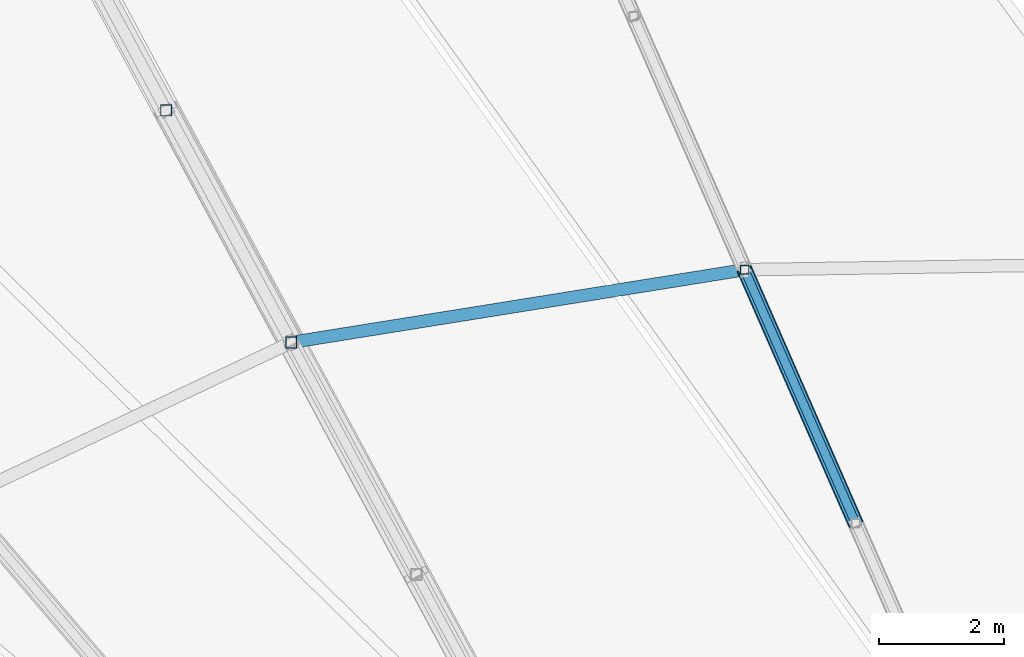
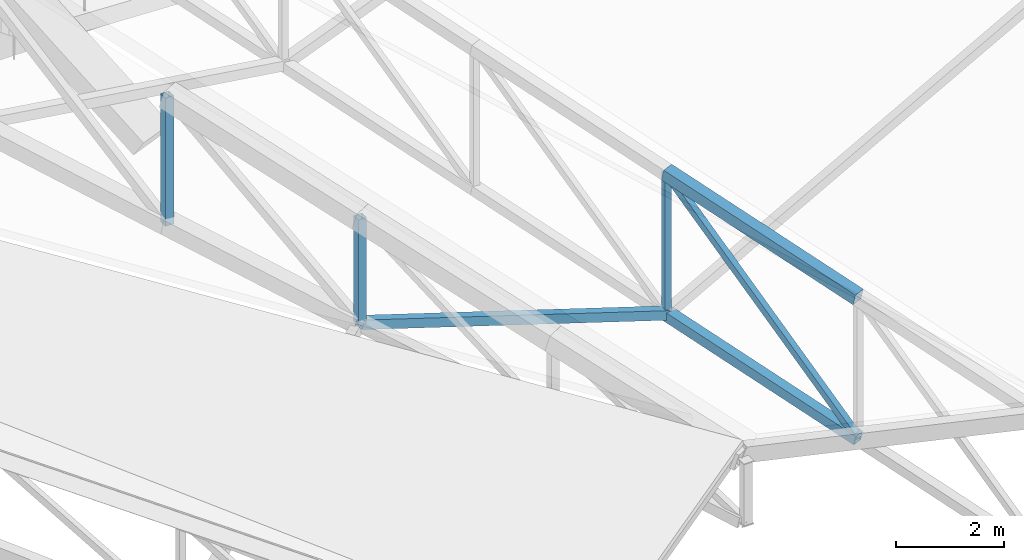
# One storey, part 145 of 344: 7 members.
"""IFC4 building model written with IfcOpenShell, lengths in metres."""

from ifc_helpers import new_model, si_unit, direction, frame, origin, origin_2d, place, context, subcontext, project, spatial, hollow_rectangle, extrude, material, material_profile, profile_set, type_object, element, save


model = new_model("IFC4")

# Units and contexts
model_context = context("Model", 3, precision=1e-05, world=origin(), true_north=direction((0.0, 1.0)))
body_context = subcontext(model_context, "Body", "Model", "MODEL_VIEW")
ifc_project = project(units=[si_unit("LENGTHUNIT", "METRE"), si_unit("AREAUNIT", "SQUARE_METRE"), si_unit("VOLUMEUNIT", "CUBIC_METRE"), si_unit("PLANEANGLEUNIT", "RADIAN"), si_unit("MASSUNIT", "GRAM", prefix="KILO")], contexts=[model_context])

# Site, building, storey
site_placement = place(None, origin())
site = spatial("IfcSite", under=ifc_project, at=site_placement, CompositionType="ELEMENT")
building_placement = place(site_placement, origin())
building = spatial("IfcBuilding", under=site, at=building_placement, Name="Meseta Stadium", CompositionType="ELEMENT")
storey_placement = place(building_placement, frame((0.0, 0.0, 24.0)))
storey = spatial("IfcBuildingStorey", under=building, at=storey_placement, Name="L04", CompositionType="ELEMENT", Elevation=24.0)

# Members
ifc_material_1 = material(Name="Steel S355", Category="steel")
ifc_material_profile_1 = material_profile(ifc_material_1, hollow_rectangle(XDim=0.139892578125, YDim=0.139892578125, WallThickness=0.0048828125, at=origin_2d()), Name="SHS 140x140x5")
ifc_profile_set_1 = profile_set([ifc_material_profile_1], Name="Steel S355")
member_type_1 = type_object("IfcMemberType", Name="SHS 140x140x5 diagonal", PredefinedType="BRACE", material=ifc_profile_set_1)
member_1_placement = place(storey_placement, frame((-25.65478515625, 69.6328125, -0.656494140625), z_axis=(-0.290962382182, 0.66466819208, 0.688154842017), x_axis=(-0.916071251187, -0.401015539287, 0.0)))
element("IfcMember", 1, at=member_1_placement, inside=storey, type_object=member_type_1, Name="ROOF TRUSS RT-21 diagonal", PredefinedType="BRACE", context=body_context, shape_type="SweptSolid", body=[
    extrude(hollow_rectangle(XDim=0.139892578125, YDim=0.139892578125, WallThickness=0.0048828125, at=origin_2d()), origin(), (0.0, 0.0, 1.0), 6.101806640625),
])
ifc_material_2 = material(Name="Steel S355", Category="steel")
ifc_material_profile_2 = material_profile(ifc_material_2, hollow_rectangle(XDim=0.139892578125, YDim=0.139892578125, WallThickness=0.0048828125, at=origin_2d()), Name="SHS 140x140x5")
ifc_profile_set_2 = profile_set([ifc_material_profile_2], Name="Steel S355")
member_type_2 = type_object("IfcMemberType", Name="SHS 140x140x5 post", PredefinedType="POST", material=ifc_profile_set_2)
member_2_placement = place(storey_placement, frame((-27.43017578125, 73.6884765625, 0.342529296875), z_axis=(0.0, 0.0, 1.0), x_axis=(1.0, 0.0, 0.0)))
element("IfcMember", 2, at=member_2_placement, inside=storey, type_object=member_type_2, Name="ROOF TRUSS RT-21 post", PredefinedType="POST", context=body_context, shape_type="SweptSolid", body=[
    extrude(hollow_rectangle(XDim=0.139892578125, YDim=0.139892578125, WallThickness=0.0048828125, at=origin_2d()), origin(), (0.0, 0.0, 1.0), 3.199951171875),
])
ifc_material_3 = material(Name="Steel S355", Category="steel")
ifc_material_profile_3 = material_profile(ifc_material_3, hollow_rectangle(XDim=0.179931640625, YDim=0.179931640625, WallThickness=0.00634765625, at=origin_2d()), Name="SHS 180x180x6.3")
ifc_profile_set_3 = profile_set([ifc_material_profile_3], Name="Steel S355")
member_type_3 = type_object("IfcMemberType", Name="SHS 180x180x6.3 post", PredefinedType="POST", material=ifc_profile_set_3)
member_3_placement = place(storey_placement, frame((-34.68212890625, 72.526123046875, 3.37158203125), z_axis=(0.0, 0.0, 1.0), x_axis=(1.0, 0.0, 0.0)))
element("IfcMember", 3, at=member_3_placement, inside=storey, type_object=member_type_3, Name="ROOF TRUSS RT-22 post", PredefinedType="POST", context=body_context, shape_type="SweptSolid", body=[
    extrude(hollow_rectangle(XDim=0.179931640625, YDim=0.179931640625, WallThickness=0.00634765625, at=origin_2d()), origin(), (0.0, 0.0, 1.0), 2.40576171875),
])
member_4_placement = place(storey_placement, frame((-36.682373046875, 76.239013671875, 4.085205078125), z_axis=(0.0, 0.0, 1.0), x_axis=(1.0, 0.0, 0.0)))
element("IfcMember", 4, at=member_4_placement, inside=storey, type_object=member_type_3, Name="ROOF TRUSS RT-22 post", PredefinedType="POST", context=body_context, shape_type="SweptSolid", body=[
    extrude(hollow_rectangle(XDim=0.179931640625, YDim=0.179931640625, WallThickness=0.00634765625, at=origin_2d()), origin(), (0.0, 0.0, 1.0), 2.90869140625),
])
ifc_material_4 = material(Name="Steel S355", Category="steel")
ifc_material_profile_4 = material_profile(ifc_material_4, hollow_rectangle(XDim=0.199951171875, YDim=0.199951171875, WallThickness=0.008056640625, at=origin_2d()), Name="SHS 200x200x8")
ifc_profile_set_4 = profile_set([ifc_material_profile_4], Name="Steel S355")
member_type_4 = type_object("IfcMemberType", Name="SHS 200x200x8 strut", PredefinedType="STRUT", material=ifc_profile_set_4)
member_5_placement = place(storey_placement, frame((-27.43017578125, 73.6884765625, 0.342529296875), z_axis=(-0.912812631175, -0.14630692624, 0.381270748552), x_axis=(0.158261455193, -0.987397241135, 0.0)))
element("IfcMember", 5, at=member_5_placement, inside=storey, type_object=member_type_4, Name="ROOF TRUSS STRUT RT-21/22", PredefinedType="STRUT", context=body_context, shape_type="SweptSolid", body=[
    extrude(hollow_rectangle(XDim=0.199951171875, YDim=0.199951171875, WallThickness=0.008056640625, at=origin_2d()), origin(), (0.0, 0.0, 1.0), 7.944580078125),
])
ifc_material_5 = material(Name="Steel S355", Category="steel")
ifc_material_profile_5 = material_profile(ifc_material_5, hollow_rectangle(XDim=0.219970703125, YDim=0.219970703125, WallThickness=0.008056640625, at=origin_2d()), Name="SHS 220x220x8")
ifc_profile_set_5 = profile_set([ifc_material_profile_5], Name="Steel S355")
member_type_5 = type_object("IfcMemberType", Name="SHS 220x220x8 bottom chord", PredefinedType="CHORD", material=ifc_profile_set_5)
member_6_placement = place(storey_placement, frame((-25.65478515625, 69.6328125, -0.656494140625), z_axis=(-0.391179811732, 0.89360272724, 0.220119333004), x_axis=(-0.916071251187, -0.401015539287, 0.0)))
element("IfcMember", 6, at=member_6_placement, inside=storey, type_object=member_type_5, Name="ROOF TRUSS RT-21 bottom chord", PredefinedType="CHORD", context=body_context, shape_type="SweptSolid", body=[
    extrude(hollow_rectangle(XDim=0.219970703125, YDim=0.219970703125, WallThickness=0.008056640625, at=origin_2d()), origin(), (0.0, 0.0, 1.0), 4.53857421875),
])
ifc_material_6 = material(Name="Steel S355", Category="steel")
ifc_material_profile_6 = material_profile(ifc_material_6, hollow_rectangle(XDim=0.25, YDim=0.25, WallThickness=0.010009765625, at=origin_2d()), Name="SHS 250x250x10")
ifc_profile_set_6 = profile_set([ifc_material_profile_6], Name="Steel S355")
member_type_6 = type_object("IfcMemberType", Name="SHS 250x250x10 top chord", PredefinedType="CHORD", material=ifc_profile_set_6)
member_7_placement = place(storey_placement, frame((-25.65478515625, 69.6328125, 2.543701171875), z_axis=(-0.391184443127, 0.893613307099, 0.220068145879), x_axis=(-0.916071251187, -0.401015539287, 0.0)))
element("IfcMember", 7, at=member_7_placement, inside=storey, type_object=member_type_6, Name="ROOF TRUSS RT-21 top chord", PredefinedType="CHORD", context=body_context, shape_type="SweptSolid", body=[
    extrude(hollow_rectangle(XDim=0.25, YDim=0.25, WallThickness=0.010009765625, at=origin_2d()), origin(), (0.0, 0.0, 1.0), 4.53857421875),
])

save(model, "model.ifc")
